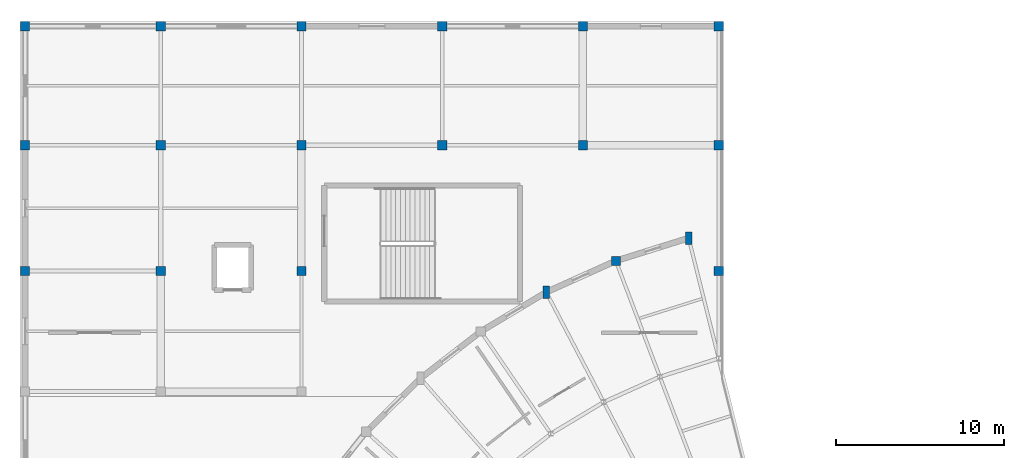
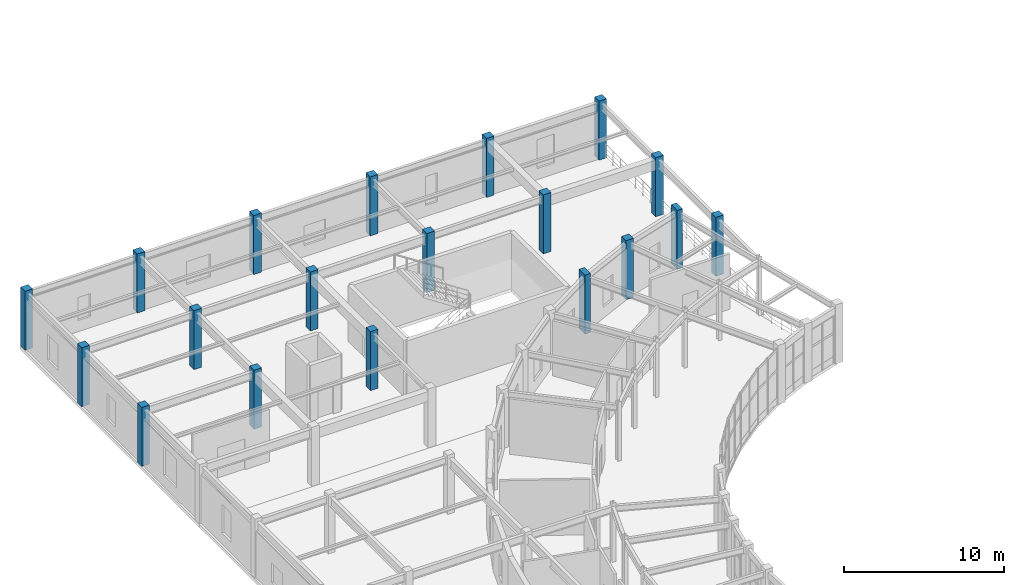
# One storey, part 14 of 112: 19 columns.
"""IFC4 building model written with IfcOpenShell, lengths in metres."""

import ifcopenshell
import ifcopenshell.guid

model = None  # the IFC model being written
_history = None  # IfcOwnerHistory: only IFC2X3 demands one
_inside = {}  # id of a spatial element -> (the spatial element, [elements in it])
_under = {}  # id of a project, library or spatial element -> (it, [spatial elements below it])
_declared = {}  # id of a project -> (the project, [libraries it declares])
_typed = {}  # id of a type object -> (the type object, [elements of that type])
_made_of = {}  # id of a material, layer set ... -> (it, [elements and type objects made of it])


def new_model(schema):
    """Start an empty IFC model of exactly this schema.

    Asked for "IFC4X3", IfcOpenShell would pick the latest addendum, in which some entities
    have other attributes; the version numbers below select the first issue.
    IFC2X3 requires an IfcOwnerHistory on every rooted entity: one is made here for all.
    """
    global model, _history
    if schema == "IFC4X3":
        model = ifcopenshell.file(schema_version=(4, 3, 0, 0))
    else:
        model = ifcopenshell.file(schema=schema)
    _inside.clear()
    _under.clear()
    _declared.clear()
    _typed.clear()
    _made_of.clear()
    _history = None
    if model.schema == "IFC2X3":
        org = make("IfcOrganization", Name="unknown")
        user = make(
            "IfcPersonAndOrganization",
            ThePerson=make("IfcPerson", FamilyName="unknown"),
            TheOrganization=org,
        )
        app = make(
            "IfcApplication",
            ApplicationDeveloper=org,
            Version="unknown",
            ApplicationFullName="unknown",
            ApplicationIdentifier="unknown",
        )
        _history = make(
            "IfcOwnerHistory",
            OwningUser=user,
            OwningApplication=app,
            ChangeAction="ADDED",
            CreationDate=0,
        )
    return model


def make(cls, **values):
    """One entity of the class cls with the attributes given. An attribute that is None is left unset."""
    return model.create_entity(
        cls, **{name: value for name, value in values.items() if value is not None}
    )


def rooted(cls, **values):
    """An entity with a GlobalId (a new one), such as an element, a storey or a relation."""
    return make(cls, GlobalId=ifcopenshell.guid.new(), OwnerHistory=_history, **values)


def si_unit(unit_type, name, prefix=None):
    """IfcSIUnit, for example si_unit("LENGTHUNIT", "METRE", prefix="MILLI")."""
    return make("IfcSIUnit", UnitType=unit_type, Prefix=prefix, Name=name)


def assignment(units):
    """IfcUnitAssignment: the units of a project."""
    return None if units is None else make("IfcUnitAssignment", Units=units)


def point(xyz):
    """IfcCartesianPoint."""
    return None if xyz is None else make("IfcCartesianPoint", Coordinates=xyz)


def direction(xyz):
    """IfcDirection."""
    return None if xyz is None else make("IfcDirection", DirectionRatios=xyz)


def frame(location, z_axis=None, x_axis=None):
    """IfcAxis2Placement3D, a coordinate frame: its origin and axes. An axis left out is left unset."""
    return make(
        "IfcAxis2Placement3D",
        Location=point(location),
        Axis=direction(z_axis),
        RefDirection=direction(x_axis),
    )


def frame_2d(location, x_axis=None):
    """IfcAxis2Placement2D, a coordinate frame in the plane: its origin and x axis."""
    return make(
        "IfcAxis2Placement2D", Location=point(location), RefDirection=direction(x_axis)
    )


def origin():
    """The frame at (0, 0, 0) with its axes left unset."""
    return frame((0.0, 0.0, 0.0))


def origin_2d():
    """The frame at (0, 0) in the plane with its x axis left unset."""
    return frame_2d((0.0, 0.0))


def place(relative_to, where):
    """IfcLocalPlacement: puts the frame where relative to a parent placement (None: the world)."""
    return make(
        "IfcLocalPlacement", PlacementRelTo=relative_to, RelativePlacement=where
    )


def context(
    kind, dimensions, precision=None, world=None, true_north=None, identifier=None
):
    """IfcGeometricRepresentationContext, for example the 3D "Model" context."""
    return make(
        "IfcGeometricRepresentationContext",
        ContextIdentifier=identifier,
        ContextType=kind,
        CoordinateSpaceDimension=dimensions,
        Precision=precision,
        WorldCoordinateSystem=world,
        TrueNorth=true_north,
    )


def subcontext(parent, identifier, kind, view, scale=None):
    """IfcGeometricRepresentationSubContext, for example "Body" below "Model"."""
    return make(
        "IfcGeometricRepresentationSubContext",
        ContextIdentifier=identifier,
        ContextType=kind,
        ParentContext=parent,
        TargetScale=scale,
        TargetView=view,
    )


def project(units=None, contexts=None):
    """IfcProject with its units and contexts."""
    return rooted(
        "IfcProject",
        Name="project",
        RepresentationContexts=contexts,
        UnitsInContext=assignment(units),
    )


def spatial(cls, under=None, at=None, **own):
    """A site, building, storey or space (cls), placed at a placement, below another one or the project."""
    s = rooted(cls, ObjectPlacement=at, **own)
    if under is not None:
        _under.setdefault(under.id(), (under, []))[1].append(s)
    return s


def profile(cls, at=None, kind="AREA", **sizes):
    """A parametric profile (cls). Its sizes go by their IFC names, for example OverallWidth=200.0."""
    return make(cls, ProfileType=kind, Position=at, **sizes)


def rectangle(**sizes):
    """IfcRectangleProfileDef."""
    return profile("IfcRectangleProfileDef", **sizes)


def extrude(swept, where, along, depth):
    """IfcExtrudedAreaSolid: the profile swept, set in the frame where, extruded along a direction by depth."""
    return make(
        "IfcExtrudedAreaSolid",
        SweptArea=swept,
        Position=where,
        ExtrudedDirection=direction(along),
        Depth=depth,
    )


def shape(context_of_items, identifier, shape_type, items):
    """IfcShapeRepresentation: the items that make up one representation, for example the "Body"."""
    return make(
        "IfcShapeRepresentation",
        ContextOfItems=context_of_items,
        RepresentationIdentifier=identifier,
        RepresentationType=shape_type,
        Items=items,
    )


def material(Name=None, Category=None):
    """IfcMaterial."""
    return make("IfcMaterial", Name=Name, Category=Category)


def material_profile(
    of_material, cross_section, Name=None, Category=None, Priority=None
):
    """IfcMaterialProfile: a cross section and its material."""
    return make(
        "IfcMaterialProfile",
        Name=Name,
        Material=of_material,
        Profile=cross_section,
        Priority=Priority,
        Category=Category,
    )


def profile_set(profiles, Name=None, composite=None):
    """IfcMaterialProfileSet."""
    return make(
        "IfcMaterialProfileSet",
        Name=Name,
        MaterialProfiles=profiles,
        CompositeProfile=composite,
    )


def made_of(thing, what):
    """Note that an element or type object is made of a material, layer set ...; save() writes the relation."""
    if what is not None:
        _made_of.setdefault(what.id(), (what, []))[1].append(thing)
    return thing


def type_object(cls, material=None, **own):
    """A type object (cls), such as IfcWallType, which elements share."""
    return made_of(rooted(cls, **own), material)


def element(
    cls,
    number,
    at=None,
    inside=None,
    cuts=None,
    type_object=None,
    material=None,
    context=None,
    identifier="Body",
    shape_type=None,
    held_by="IfcProductDefinitionShape",
    body=None,
    shapes=None,
    **own,
):
    """One element of the class cls, such as IfcWall. Its Tag is "e" and its number.

    at: its placement. inside: the storey or other place that contains it. cuts: it is an
    opening in that element (IfcRelVoidsElement). A single representation is given by context,
    identifier, shape_type and body (its items); several are given by shapes. held_by: the class
    of the entity that holds the representations. save() writes the other relations.
    """
    e = rooted(cls, Tag="e%d" % number, ObjectPlacement=at, **own)
    if body is not None:
        shapes = [shape(context, identifier, shape_type, body)]
    if shapes is not None:
        e.Representation = make(held_by, Representations=shapes)
    if inside is not None:
        _inside.setdefault(inside.id(), (inside, []))[1].append(e)
    if cuts is not None:
        rooted(
            "IfcRelVoidsElement", RelatingBuildingElement=cuts, RelatedOpeningElement=e
        )
    if type_object is not None:
        _typed.setdefault(type_object.id(), (type_object, []))[1].append(e)
    return made_of(e, material)


def aggregate(whole, parts):
    """IfcRelAggregates: a whole, such as a stair, and the parts it consists of."""
    return rooted("IfcRelAggregates", RelatingObject=whole, RelatedObjects=parts)


def save(model, path):
    """Write the relations noted so far, then the file.

    IfcRelAggregates (storeys below a building ...), IfcRelContainedInSpatialStructure (elements
    in a storey), IfcRelDefinesByType, IfcRelAssociatesMaterial and IfcRelDeclares: one each for
    every whole, place, type object, material and project.
    """
    for whole, parts in _under.values():
        aggregate(whole, parts)
    for where, things in _inside.values():
        rooted(
            "IfcRelContainedInSpatialStructure",
            RelatedElements=things,
            RelatingStructure=where,
        )
    for kind, things in _typed.values():
        rooted("IfcRelDefinesByType", RelatedObjects=things, RelatingType=kind)
    for what, things in _made_of.values():
        rooted("IfcRelAssociatesMaterial", RelatedObjects=things, RelatingMaterial=what)
    for by, libraries in _declared.values():
        rooted("IfcRelDeclares", RelatingContext=by, RelatedDefinitions=libraries)
    model.write(path)


model = new_model("IFC4")

# Units and contexts
model_context = context("Model", 3, precision=1e-05, world=origin(), true_north=direction((0.0, 1.0)))
body_context = subcontext(model_context, "Body", "Model", "MODEL_VIEW")
ifc_project = project(units=[si_unit("LENGTHUNIT", "METRE"), si_unit("AREAUNIT", "SQUARE_METRE"), si_unit("VOLUMEUNIT", "CUBIC_METRE"), si_unit("PLANEANGLEUNIT", "RADIAN"), si_unit("MASSUNIT", "GRAM", prefix="KILO")], contexts=[model_context])

# Site, building, storey
site_placement = place(None, origin())
site = spatial("IfcSite", under=ifc_project, at=site_placement, CompositionType="ELEMENT")
building_placement = place(site_placement, origin())
building = spatial("IfcBuilding", under=site, at=building_placement, Name="Cinderbank Siding Concert Hall", CompositionType="ELEMENT")
storey_placement = place(building_placement, frame((0.0, 0.0, 10.199951171875)))
storey = spatial("IfcBuildingStorey", under=building, at=storey_placement, Name="L03", CompositionType="ELEMENT", Elevation=10.199951171875)

# Columns
ifc_material = material(Name="Reinforced concrete AS 3600 N50 (50 MPa)", Category="concrete")
ifc_material_profile_1 = material_profile(ifc_material, rectangle(XDim=0.550048828125, YDim=0.550048828125, at=origin_2d()), Name="RC-COL-550x550", Category="LoadBearing")
ifc_profile_set_1 = profile_set([ifc_material_profile_1], Name="Reinforced concrete AS 3600 N50 (50 MPa)")
column_type_1 = type_object("IfcColumnType", Name="C-RC550 RC-COL-550x550", PredefinedType="COLUMN", material=ifc_profile_set_1)
for number, where, z_axis, x_axis, name in (
    (1, (42.364013671875, 103.89697265625, 0.0), (0.0, 0.0, 1.0), (1.0, 0.0, 0.0), "L03 Column COL-WOUT-02"),
    (2, (7.10009765625, 103.300048828125, 0.0), (0.0, 0.0, 1.0), (1.0, 0.0, 0.0), "L03 Column COL-NW-1-2"),
    (3, (7.10009765625, 110.800048828125, 0.0), (0.0, 0.0, 1.0), (1.0, 0.0, 0.0), "L03 Column COL-NW-1-3"),
    (4, (7.10009765625, 117.89990234375, 0.0), (0.0, 0.0, 1.0), (1.0, 0.0, 0.0), "L03 Column COL-NW-1-4"),
    (5, (15.199951171875, 103.300048828125, 0.0), (0.0, 0.0, 1.0), (1.0, 0.0, 0.0), "L03 Column COL-NW-2-2"),
    (6, (15.199951171875, 110.800048828125, 0.0), (0.0, 0.0, 1.0), (1.0, 0.0, 0.0), "L03 Column COL-NW-2-3"),
    (7, (15.199951171875, 117.89990234375, 0.0), (0.0, 0.0, 1.0), (1.0, 0.0, 0.0), "L03 Column COL-NW-2-4"),
    (8, (23.60009765625, 103.300048828125, 0.0), (0.0, 0.0, 1.0), (1.0, 0.0, 0.0), "L03 Column COL-NW-3-2"),
    (9, (23.60009765625, 110.800048828125, 0.0), (0.0, 0.0, 1.0), (1.0, 0.0, 0.0), "L03 Column COL-NW-3-3"),
    (10, (23.60009765625, 117.89990234375, 0.0), (0.0, 0.0, 1.0), (1.0, 0.0, 0.0), "L03 Column COL-NW-3-4"),
    (11, (32.0, 110.800048828125, 0.0), (0.0, 0.0, 1.0), (1.0, 0.0, 0.0), "L03 Column COL-NW-4-3"),
    (12, (32.0, 117.89990234375, 0.0), (0.0, 0.0, 1.0), (1.0, 0.0, 0.0), "L03 Column COL-NW-4-4"),
    (13, (40.39990234375, 110.800048828125, 0.0), (0.0, 0.0, 1.0), (1.0, 0.0, 0.0), "L03 Column COL-NW-5-3"),
    (14, (40.39990234375, 117.89990234375, 0.0), (0.0, 0.0, 1.0), (1.0, 0.0, 0.0), "L03 Column COL-NW-5-4"),
    (15, (48.5, 103.300048828125, 0.0), (0.0, 0.0, 1.0), (1.0, 0.0, 0.0), "L03 Column COL-NW-6-2"),
    (16, (48.5, 110.800048828125, 0.0), (0.0, 0.0, 1.0), (1.0, 0.0, 0.0), "L03 Column COL-NW-6-3"),
    (17, (48.5, 117.89990234375, 0.0), (0.0, 0.0, 1.0), (1.0, 0.0, 0.0), "L03 Column COL-NW-6-4"),
):
    element("IfcColumn", number, at=place(storey_placement, frame(where, z_axis=z_axis, x_axis=x_axis)), inside=storey, type_object=column_type_1, Name=name, PredefinedType="COLUMN", context=body_context, shape_type="SweptSolid", body=[
        extrude(rectangle(XDim=0.550048828125, YDim=0.550048828125, at=origin_2d()), origin(), (0.0, 0.0, 1.0), 4.5),
    ])
ifc_material_profile_2 = material_profile(ifc_material, rectangle(XDim=0.39990234375, YDim=0.75, at=origin_2d()), Name="RC-PIER-400x750", Category="LoadBearing")
ifc_profile_set_2 = profile_set([ifc_material_profile_2], Name="Reinforced concrete AS 3600 N50 (50 MPa)")
column_type_2 = type_object("IfcColumnType", Name="PL-RC750 RC-PIER-400x750", PredefinedType="PILASTER", material=ifc_profile_set_2)
for number, where, z_axis, x_axis, name in (
    (18, (46.7099609375, 105.259033203125, 0.0), (0.0, 0.0, 1.0), (1.0, 0.0, 0.0), "L03 Column COL-WOUT-01"),
    (19, (38.208984375, 102.030029296875, 0.0), (0.0, 0.0, 1.0), (1.0, 0.0, 0.0), "L03 Column COL-WOUT-03"),
):
    element("IfcColumn", number, at=place(storey_placement, frame(where, z_axis=z_axis, x_axis=x_axis)), inside=storey, type_object=column_type_2, Name=name, PredefinedType="PILASTER", context=body_context, shape_type="SweptSolid", body=[
        extrude(rectangle(XDim=0.39990234375, YDim=0.75, at=origin_2d()), origin(), (0.0, 0.0, 1.0), 4.5),
    ])

save(model, "model.ifc")
